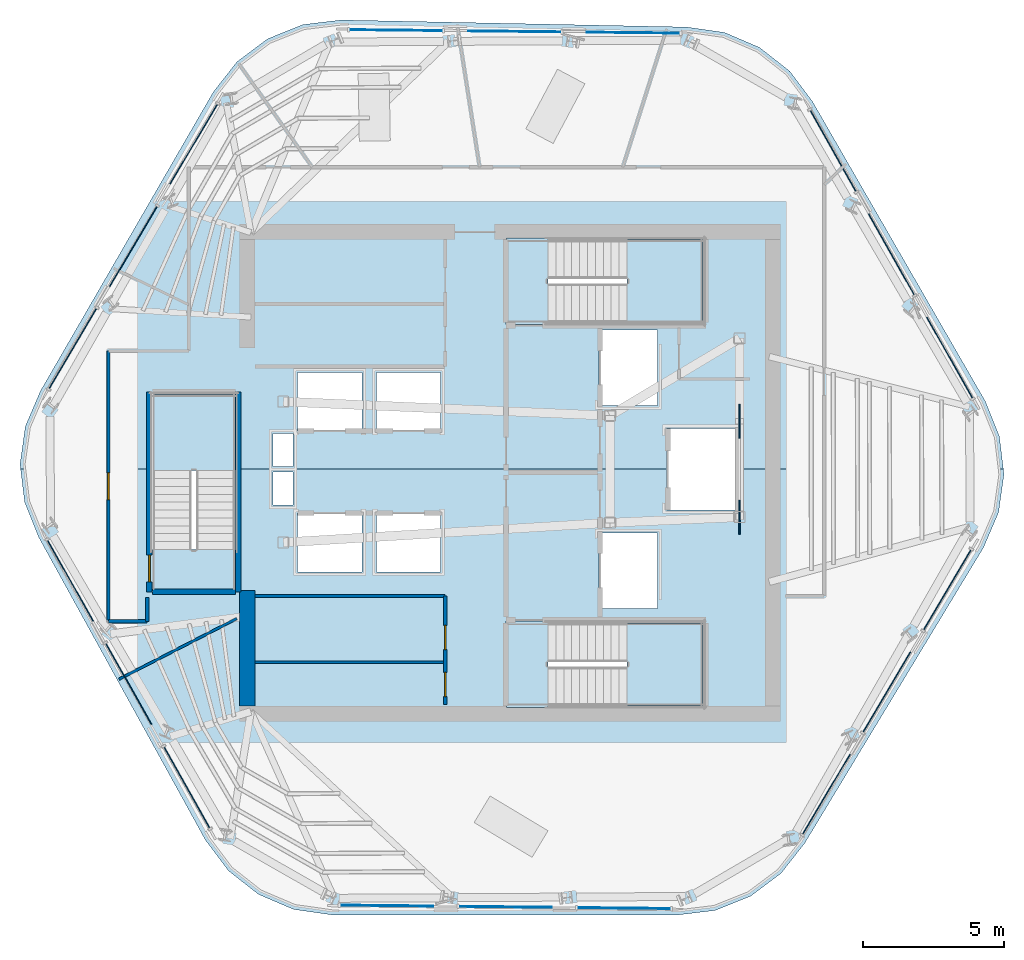
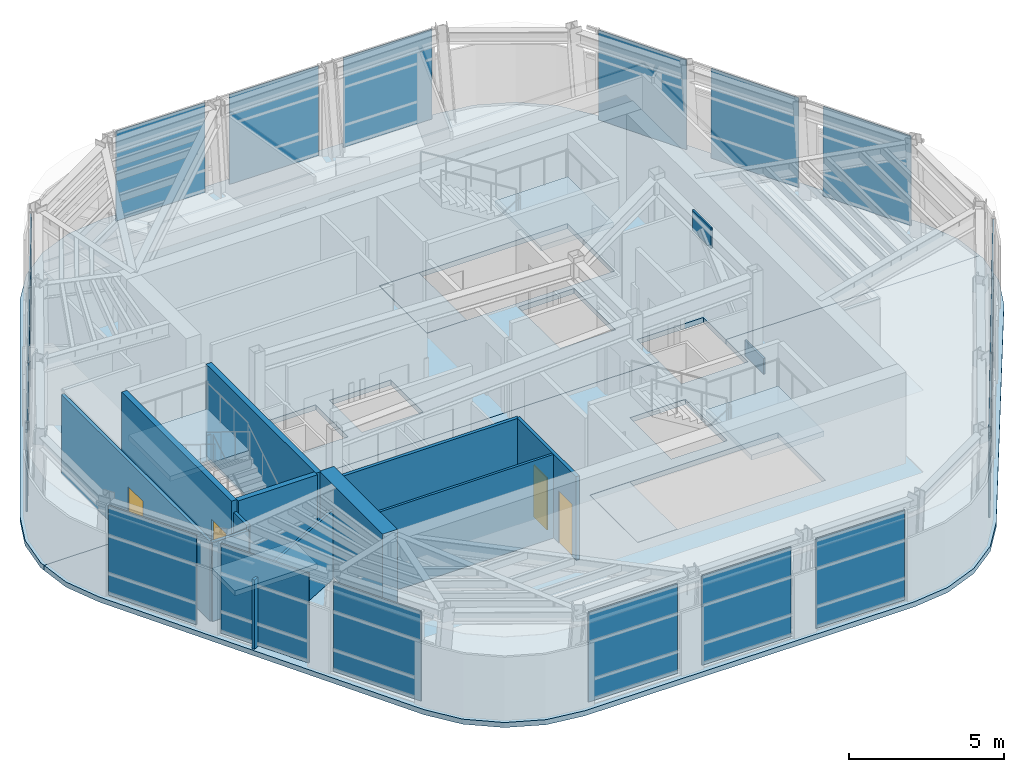
# One storey, part 6 of 13: 20 plates, 11 walls, 8 slabs, 4 doors, 4 openings, 9 elements without a shape of their own.
"""IFC4 building model written with IfcOpenShell, lengths in metres."""

from ifc_helpers import new_model, si_unit, direction, frame, frame_2d, origin, origin_2d, place, context, subcontext, project, spatial, polyline, rectangle, outline, extrude, material, layer, layer_set, type_object, element, fill, aggregate, save


model = new_model("IFC4")

# Units and contexts
model_context = context("Model", 3, precision=1e-05, world=origin(), true_north=direction((0.0, 1.0)))
body_context = subcontext(model_context, "Body", "Model", "MODEL_VIEW")
ifc_project = project(units=[si_unit("LENGTHUNIT", "METRE"), si_unit("AREAUNIT", "SQUARE_METRE"), si_unit("VOLUMEUNIT", "CUBIC_METRE"), si_unit("PLANEANGLEUNIT", "RADIAN"), si_unit("MASSUNIT", "GRAM", prefix="KILO")], contexts=[model_context])

# Site, building, storey
site_placement = place(None, origin())
site = spatial("IfcSite", under=ifc_project, at=site_placement, CompositionType="ELEMENT")
building_placement = place(site_placement, origin())
building = spatial("IfcBuilding", under=site, at=building_placement, Name="Valkerne Bourse Tower", CompositionType="ELEMENT")
storey_placement = place(building_placement, frame((0.0, 0.0, 281.199951171875)))
storey = spatial("IfcBuildingStorey", under=building, at=storey_placement, Name="L71", CompositionType="ELEMENT", Elevation=281.199951171875)

# Curtain wall, plates
ifc_material_1 = material(Name="Aluminium AA 6063-T6", Category="aluminium")
ifc_layer_1 = layer(ifc_material_1, 0.2451171875)
ifc_layer_set_1 = layer_set([ifc_layer_1], Name="Aluminium AA 6063-T6")
curtain_wall_type = type_object("IfcCurtainWallType", Name="CW-05", PredefinedType="NOTDEFINED", material=ifc_layer_set_1)
curtain_wall_1_placement = place(storey_placement, origin())
curtain_wall_1 = element("IfcCurtainWall", 1, at=curtain_wall_1_placement, inside=storey, type_object=curtain_wall_type, Name="L71 Hexagonal Stick Curtain Wall Face 1", PredefinedType="NOTDEFINED")
ifc_material_2 = material(Name="Glass IGU Low-E Double Glazed", Category="glass")
ifc_layer_2 = layer(ifc_material_2, 0.031982421875)
ifc_layer_set_2 = layer_set([ifc_layer_2], Name="Glass IGU Low-E Double Glazed")
plate_type_1 = type_object("IfcPlateType", Name="CW-PNL-IGU-32", PredefinedType="CURTAIN_PANEL", material=ifc_layer_set_2)
plate_1_placement = place(storey_placement, frame((51.174560546875, 42.493896484375, 0.030029296875), z_axis=(0.0, 0.0, 1.0), x_axis=(-0.999945187956, 0.010470008742, 0.0)))
plate_1 = element("IfcPlate", 2, at=plate_1_placement, type_object=plate_type_1, Name="CW-L71-F1 Curtain Panel 00", PredefinedType="CURTAIN_PANEL", context=body_context, shape_type="SweptSolid", body=[
    extrude(rectangle(XDim=3.2919921875, YDim=0.031982421875, at=origin_2d()), origin(), (0.0, 0.0, 1.0), 3.5400390625),
])
plate_2_placement = place(storey_placement, frame((46.962646484375, 42.537841796875, 0.030029296875), z_axis=(0.0, 0.0, 1.0), x_axis=(-0.999945185354, 0.010470257299, 0.0)))
plate_2 = element("IfcPlate", 3, at=plate_2_placement, type_object=plate_type_1, Name="CW-L71-F1 Curtain Panel 01", PredefinedType="CURTAIN_PANEL", context=body_context, shape_type="SweptSolid", body=[
    extrude(rectangle(XDim=3.2919921875, YDim=0.031982421875, at=origin_2d()), origin(), (0.0, 0.0, 1.0), 3.5400390625),
])
plate_3_placement = place(storey_placement, frame((42.7509765625, 42.58203125, 0.030029296875), z_axis=(0.0, 0.0, 1.0), x_axis=(-0.999945187956, 0.010470008742, 0.0)))
plate_3 = element("IfcPlate", 4, at=plate_3_placement, type_object=plate_type_1, Name="CW-L71-F1 Curtain Panel 02", PredefinedType="CURTAIN_PANEL", context=body_context, shape_type="SweptSolid", body=[
    extrude(rectangle(XDim=3.2919921875, YDim=0.031982421875, at=origin_2d()), origin(), (0.0, 0.0, 1.0), 3.5400390625),
])
aggregate(curtain_wall_1, [plate_1, plate_2, plate_3])

curtain_wall_2_placement = place(storey_placement, origin())
curtain_wall_2 = element("IfcCurtainWall", 5, at=curtain_wall_2_placement, inside=storey, type_object=curtain_wall_type, Name="L71 Hexagonal Stick Curtain Wall Face 2", PredefinedType="NOTDEFINED")
plate_4_placement = place(storey_placement, frame((35.569091796875, 38.535400390625, 0.030029296875), z_axis=(0.0, 0.0, 1.0), x_axis=(-0.509038826061, -0.860743558537, 0.0)))
plate_4 = element("IfcPlate", 6, at=plate_4_placement, type_object=plate_type_1, Name="CW-L71-F2 Curtain Panel 00", PredefinedType="CURTAIN_PANEL", context=body_context, shape_type="SweptSolid", body=[
    extrude(rectangle(XDim=3.2919921875, YDim=0.031982421875, at=origin_2d()), origin(), (0.0, 0.0, 1.0), 3.5400390625),
])
plate_5_placement = place(storey_placement, frame((33.42529296875, 34.909912109375, 0.030029296875), z_axis=(0.0, 0.0, 1.0), x_axis=(-0.509031638635, -0.860747809099, 0.0)))
plate_5 = element("IfcPlate", 7, at=plate_5_placement, type_object=plate_type_1, Name="CW-L71-F2 Curtain Panel 01", PredefinedType="CURTAIN_PANEL", context=body_context, shape_type="SweptSolid", body=[
    extrude(rectangle(XDim=3.2919921875, YDim=0.031982421875, at=origin_2d()), origin(), (0.0, 0.0, 1.0), 3.5400390625),
])
plate_6_placement = place(storey_placement, frame((31.281005859375, 31.284423828125, 0.030029296875), z_axis=(0.0, 0.0, 1.0), x_axis=(-0.509038826061, -0.860743558537, 0.0)))
plate_6 = element("IfcPlate", 8, at=plate_6_placement, type_object=plate_type_1, Name="CW-L71-F2 Curtain Panel 02", PredefinedType="CURTAIN_PANEL", context=body_context, shape_type="SweptSolid", body=[
    extrude(rectangle(XDim=3.2919921875, YDim=0.031982421875, at=origin_2d()), origin(), (0.0, 0.0, 1.0), 3.5400390625),
])
aggregate(curtain_wall_2, [plate_4, plate_5, plate_6])

curtain_wall_3_placement = place(storey_placement, origin())
curtain_wall_3 = element("IfcCurtainWall", 9, at=curtain_wall_3_placement, inside=storey, type_object=curtain_wall_type, Name="L71 Hexagonal Stick Curtain Wall Face 3", PredefinedType="NOTDEFINED")
plate_7_placement = place(storey_placement, frame((31.194580078125, 23.04150390625, 0.030029296875), z_axis=(0.0, 0.0, 1.0), x_axis=(0.490911504685, -0.871209443571, 0.0)))
plate_7 = element("IfcPlate", 10, at=plate_7_placement, type_object=plate_type_1, Name="CW-L71-F3 Curtain Panel 00", PredefinedType="CURTAIN_PANEL", context=body_context, shape_type="SweptSolid", body=[
    extrude(rectangle(XDim=3.2919921875, YDim=0.031982421875, at=origin_2d()), origin(), (0.0, 0.0, 1.0), 3.5400390625),
])
plate_8_placement = place(storey_placement, frame((33.262451171875, 19.3720703125, 0.030029296875), z_axis=(0.0, 0.0, 1.0), x_axis=(0.490901350772, -0.871215165049, 0.0)))
plate_8 = element("IfcPlate", 11, at=plate_8_placement, type_object=plate_type_1, Name="CW-L71-F3 Curtain Panel 01", PredefinedType="CURTAIN_PANEL", context=body_context, shape_type="SweptSolid", body=[
    extrude(rectangle(XDim=3.2919921875, YDim=0.031982421875, at=origin_2d()), origin(), (0.0, 0.0, 1.0), 3.5400390625),
])
plate_9_placement = place(storey_placement, frame((35.330078125, 15.702392578125, 0.030029296875), z_axis=(0.0, 0.0, 1.0), x_axis=(0.490901350772, -0.871215165049, 0.0)))
plate_9 = element("IfcPlate", 12, at=plate_9_placement, type_object=plate_type_1, Name="CW-L71-F3 Curtain Panel 02", PredefinedType="CURTAIN_PANEL", context=body_context, shape_type="SweptSolid", body=[
    extrude(rectangle(XDim=3.2919921875, YDim=0.031982421875, at=origin_2d()), origin(), (0.0, 0.0, 1.0), 3.5400390625),
])
aggregate(curtain_wall_3, [plate_7, plate_8, plate_9])

curtain_wall_4_placement = place(storey_placement, origin())
curtain_wall_4 = element("IfcCurtainWall", 13, at=curtain_wall_4_placement, inside=storey, type_object=curtain_wall_type, Name="L71 Hexagonal Stick Curtain Wall Face 4", PredefinedType="NOTDEFINED")
plate_10_placement = place(storey_placement, frame((42.425537109375, 11.506103515625, 0.030029296875), z_axis=(0.0, 0.0, 1.0), x_axis=(0.999945187956, -0.010470008742, 0.0)))
plate_10 = element("IfcPlate", 14, at=plate_10_placement, type_object=plate_type_1, Name="CW-L71-F4 Curtain Panel 00", PredefinedType="CURTAIN_PANEL", context=body_context, shape_type="SweptSolid", body=[
    extrude(rectangle(XDim=3.2919921875, YDim=0.031982421875, at=origin_2d()), origin(), (0.0, 0.0, 1.0), 3.5400390625),
])
plate_11_placement = place(storey_placement, frame((46.63720703125, 11.4619140625, 0.030029296875), z_axis=(0.0, 0.0, 1.0), x_axis=(0.999945185354, -0.010470257299, 0.0)))
plate_11 = element("IfcPlate", 15, at=plate_11_placement, type_object=plate_type_1, Name="CW-L71-F4 Curtain Panel 01", PredefinedType="CURTAIN_PANEL", context=body_context, shape_type="SweptSolid", body=[
    extrude(rectangle(XDim=3.2919921875, YDim=0.031982421875, at=origin_2d()), origin(), (0.0, 0.0, 1.0), 3.5400390625),
])
plate_12_placement = place(storey_placement, frame((50.84912109375, 11.41796875, 0.030029296875), z_axis=(0.0, 0.0, 1.0), x_axis=(0.999945187956, -0.010470008742, 0.0)))
plate_12 = element("IfcPlate", 16, at=plate_12_placement, type_object=plate_type_1, Name="CW-L71-F4 Curtain Panel 02", PredefinedType="CURTAIN_PANEL", context=body_context, shape_type="SweptSolid", body=[
    extrude(rectangle(XDim=3.2919921875, YDim=0.031982421875, at=origin_2d()), origin(), (0.0, 0.0, 1.0), 3.5400390625),
])
aggregate(curtain_wall_4, [plate_10, plate_11, plate_12])

curtain_wall_5_placement = place(storey_placement, origin())
curtain_wall_5 = element("IfcCurtainWall", 17, at=curtain_wall_5_placement, inside=storey, type_object=curtain_wall_type, Name="L71 Hexagonal Stick Curtain Wall Face 5", PredefinedType="NOTDEFINED")
plate_13_placement = place(storey_placement, frame((58.03076171875, 15.464599609375, 0.030029296875), z_axis=(0.0, 0.0, 1.0), x_axis=(0.509038826061, 0.860743558537, 0.0)))
plate_13 = element("IfcPlate", 18, at=plate_13_placement, type_object=plate_type_1, Name="CW-L71-F5 Curtain Panel 00", PredefinedType="CURTAIN_PANEL", context=body_context, shape_type="SweptSolid", body=[
    extrude(rectangle(XDim=3.2919921875, YDim=0.031982421875, at=origin_2d()), origin(), (0.0, 0.0, 1.0), 3.5400390625),
])
plate_14_placement = place(storey_placement, frame((60.1748046875, 19.090087890625, 0.030029296875), z_axis=(0.0, 0.0, 1.0), x_axis=(0.509031638635, 0.860747809099, 0.0)))
plate_14 = element("IfcPlate", 19, at=plate_14_placement, type_object=plate_type_1, Name="CW-L71-F5 Curtain Panel 01", PredefinedType="CURTAIN_PANEL", context=body_context, shape_type="SweptSolid", body=[
    extrude(rectangle(XDim=3.2919921875, YDim=0.031982421875, at=origin_2d()), origin(), (0.0, 0.0, 1.0), 3.5400390625),
])
plate_15_placement = place(storey_placement, frame((62.31884765625, 22.715576171875, 0.030029296875), z_axis=(0.0, 0.0, 1.0), x_axis=(0.509038826061, 0.860743558537, 0.0)))
plate_15 = element("IfcPlate", 20, at=plate_15_placement, type_object=plate_type_1, Name="CW-L71-F5 Curtain Panel 02", PredefinedType="CURTAIN_PANEL", context=body_context, shape_type="SweptSolid", body=[
    extrude(rectangle(XDim=3.2919921875, YDim=0.031982421875, at=origin_2d()), origin(), (0.0, 0.0, 1.0), 3.5400390625),
])
aggregate(curtain_wall_5, [plate_13, plate_14, plate_15])

curtain_wall_6_placement = place(storey_placement, origin())
curtain_wall_6 = element("IfcCurtainWall", 21, at=curtain_wall_6_placement, inside=storey, type_object=curtain_wall_type, Name="L71 Hexagonal Stick Curtain Wall Face 6", PredefinedType="NOTDEFINED")
plate_16_placement = place(storey_placement, frame((62.4052734375, 30.95849609375, 0.030029296875), z_axis=(0.0, 0.0, 1.0), x_axis=(-0.490911504685, 0.871209443571, 0.0)))
plate_16 = element("IfcPlate", 22, at=plate_16_placement, type_object=plate_type_1, Name="CW-L71-F6 Curtain Panel 00", PredefinedType="CURTAIN_PANEL", context=body_context, shape_type="SweptSolid", body=[
    extrude(rectangle(XDim=3.2919921875, YDim=0.031982421875, at=origin_2d()), origin(), (0.0, 0.0, 1.0), 3.5400390625),
])
plate_17_placement = place(storey_placement, frame((60.337646484375, 34.6279296875, 0.030029296875), z_axis=(0.0, 0.0, 1.0), x_axis=(-0.490901350772, 0.871215165049, 0.0)))
plate_17 = element("IfcPlate", 23, at=plate_17_placement, type_object=plate_type_1, Name="CW-L71-F6 Curtain Panel 01", PredefinedType="CURTAIN_PANEL", context=body_context, shape_type="SweptSolid", body=[
    extrude(rectangle(XDim=3.2919921875, YDim=0.031982421875, at=origin_2d()), origin(), (0.0, 0.0, 1.0), 3.5400390625),
])
plate_18_placement = place(storey_placement, frame((58.269775390625, 38.297607421875, 0.030029296875), z_axis=(0.0, 0.0, 1.0), x_axis=(-0.490901350772, 0.871215165049, 0.0)))
plate_18 = element("IfcPlate", 24, at=plate_18_placement, type_object=plate_type_1, Name="CW-L71-F6 Curtain Panel 02", PredefinedType="CURTAIN_PANEL", context=body_context, shape_type="SweptSolid", body=[
    extrude(rectangle(XDim=3.2919921875, YDim=0.031982421875, at=origin_2d()), origin(), (0.0, 0.0, 1.0), 3.5400390625),
])
aggregate(curtain_wall_6, [plate_16, plate_17, plate_18])

# Plates
ifc_material_3 = material(Name="Steel ASTM A572 Grade 50", Category="steel")
ifc_layer_3 = layer(ifc_material_3, 0.06005859375)
ifc_layer_set_3 = layer_set([ifc_layer_3], Name="Steel ASTM A572 Grade 50")
plate_type_2 = type_object("IfcPlateType", Name="PLT-GUS-60", PredefinedType="SHEET", material=ifc_layer_set_3)
for number, where, z_axis, x_axis, name in (
    (25, (54.949951171875, 25.300048828125, -0.18017578125), (0.0, 0.0, 1.0), (0.0, 1.0, 0.0), "L71 Brace Node Gusset Plate PLT-GUS-END-L71-458"),
    (26, (54.949951171875, 28.699951171875, 2.89404296875), (0.0, 0.0, 1.0), (0.0, 1.0, 0.0), "L71 Brace Node Gusset Plate PLT-GUS-END-L71-459"),
):
    element("IfcPlate", number, at=place(storey_placement, frame(where, z_axis=z_axis, x_axis=x_axis)), inside=storey, type_object=plate_type_2, Name=name, PredefinedType="SHEET", context=body_context, shape_type="SweptSolid", body=[
        extrude(rectangle(XDim=1.199951171875, YDim=0.06005859375, at=origin_2d()), origin(), (0.0, 0.0, 1.0), 0.800048828125),
    ])

# Slabs
ifc_material_4 = material(Name="Concrete C40/50", Category="concrete")
ifc_layer_4 = layer(ifc_material_4, 0.25)
ifc_layer_set_4 = layer_set([ifc_layer_4], Name="Concrete C40/50")
slab_type_1 = type_object("IfcSlabType", Name="SLB-RMP-LND-250", PredefinedType="LANDING", material=ifc_layer_set_4)
slab_1_placement = place(storey_placement, frame((0.0, 0.0, -0.199951171875)))
element("IfcSlab", 27, at=slab_1_placement, inside=storey, type_object=slab_type_1, Name="L71 ST-1 Floor Landing Slab", PredefinedType="LANDING", context=body_context, shape_type="SweptSolid", body=[
    extrude(outline(polyline([(46.669921875, 18.5400390625), (48.14990234375, 18.5400390625), (48.14990234375, 21.610107421875), (46.669921875, 21.610107421875), (46.669921875, 18.5400390625)])), origin(), (0.0, 0.0, 1.0), 0.199951171875),
])
slab_2_placement = place(storey_placement, frame((0.0, 0.0, -0.199951171875)))
element("IfcSlab", 28, at=slab_2_placement, inside=storey, type_object=slab_type_1, Name="L71 ST-2 Floor Landing Slab", PredefinedType="LANDING", context=body_context, shape_type="SweptSolid", body=[
    extrude(outline(polyline([(46.669921875, 32.139892578125), (48.14990234375, 32.139892578125), (48.14990234375, 35.2099609375), (46.669921875, 35.2099609375), (46.669921875, 32.139892578125)])), origin(), (0.0, 0.0, 1.0), 0.199951171875),
])
slab_3_placement = place(storey_placement, frame((0.0, 0.0, -0.199951171875)))
element("IfcSlab", 29, at=slab_3_placement, inside=storey, type_object=slab_type_1, Name="L71 ST-3 Floor Landing Slab", PredefinedType="LANDING", context=body_context, shape_type="SweptSolid", body=[
    extrude(outline(polyline([(37.110107421875, 22.669921875), (37.110107421875, 24.14990234375), (34.0400390625, 24.14990234375), (34.0400390625, 22.669921875), (37.110107421875, 22.669921875)])), origin(), (0.0, 0.0, 1.0), 0.199951171875),
])

# Stair, slab
stair_type = type_object("IfcStairType", Name="ST-CORE-1400", PredefinedType="HALF_TURN_STAIR", material=ifc_material_4)
stair_1_placement = place(storey_placement, origin())
stair_1 = element("IfcStair", 30, at=stair_1_placement, inside=storey, type_object=stair_type, Name="L71 ST-1", PredefinedType="HALF_TURN_STAIR")
ifc_layer_5 = layer(ifc_material_4, 0.179931640625)
ifc_layer_set_5 = layer_set([ifc_layer_5], Name="Concrete C40/50")
slab_type_2 = type_object("IfcSlabType", Name="SLB-ST-LND-180", PredefinedType="LANDING", material=ifc_layer_set_5)
slab_4_placement = place(storey_placement, frame((0.0, 0.0, 1.699951171875)))
slab_4 = element("IfcSlab", 31, at=slab_4_placement, type_object=slab_type_2, Name="ST-1 landing 1", PredefinedType="LANDING", context=body_context, shape_type="SweptSolid", body=[
    extrude(outline(polyline([(50.949951171875, 18.60009765625), (53.64990234375, 18.60009765625), (53.64990234375, 21.550048828125), (50.949951171875, 21.550048828125), (50.949951171875, 18.60009765625)])), origin(), (0.0, 0.0, 1.0), 0.2001953125),
])
aggregate(stair_1, [slab_4])

stair_2_placement = place(storey_placement, origin())
stair_2 = element("IfcStair", 32, at=stair_2_placement, inside=storey, type_object=stair_type, Name="L71 ST-2", PredefinedType="HALF_TURN_STAIR")
slab_5_placement = place(storey_placement, frame((0.0, 0.0, 1.699951171875)))
slab_5 = element("IfcSlab", 33, at=slab_5_placement, type_object=slab_type_2, Name="ST-2 landing 1", PredefinedType="LANDING", context=body_context, shape_type="SweptSolid", body=[
    extrude(outline(polyline([(50.949951171875, 32.199951171875), (53.64990234375, 32.199951171875), (53.64990234375, 35.14990234375), (50.949951171875, 35.14990234375), (50.949951171875, 32.199951171875)])), origin(), (0.0, 0.0, 1.0), 0.2001953125),
])
aggregate(stair_2, [slab_5])

stair_3_placement = place(storey_placement, origin())
stair_3 = element("IfcStair", 34, at=stair_3_placement, inside=storey, type_object=stair_type, Name="L71 ST-3", PredefinedType="HALF_TURN_STAIR")
slab_6_placement = place(storey_placement, frame((0.0, 0.0, 1.699951171875)))
slab_6 = element("IfcSlab", 35, at=slab_6_placement, type_object=slab_type_2, Name="ST-3 landing 1", PredefinedType="LANDING", context=body_context, shape_type="SweptSolid", body=[
    extrude(outline(polyline([(37.050048828125, 26.949951171875), (37.050048828125, 29.64990234375), (34.10009765625, 29.64990234375), (34.10009765625, 26.949951171875), (37.050048828125, 26.949951171875)])), origin(), (0.0, 0.0, 1.0), 0.2001953125),
])
aggregate(stair_3, [slab_6])

# Slabs
ifc_layer_6 = layer(ifc_material_4, 0.199951171875)
ifc_layer_set_6 = layer_set([ifc_layer_6], Name="Concrete C40/50")
slab_type_3 = type_object("IfcSlabType", Name="SLB-TOW-200", PredefinedType="FLOOR", material=ifc_layer_set_6)
slab_7_placement = place(storey_placement, frame((0.0, 0.0, -0.199951171875)))
element("IfcSlab", 36, at=slab_7_placement, inside=storey, type_object=slab_type_3, Name="L71 Hexagonal Composite Floor Slab S", PredefinedType="FLOOR", context=body_context, shape_type="SweptSolid", body=[
    extrude(outline(polyline([(64.334716796875, 26.81640625), (64.143310546875, 25.472412109375), (63.610595703125, 24.223876953125), (57.2626953125, 13.72802734375), (56.425048828125, 12.659912109375), (55.339599609375, 11.8447265625), (54.080078125, 11.33837890625), (52.732421875, 11.17529296875), (40.46630859375, 11.1826171875), (39.122314453125, 11.373779296875), (37.873779296875, 11.906494140625), (36.805419921875, 12.743896484375), (35.990478515625, 13.82958984375), (30.07470703125, 24.574951171875), (29.568603515625, 25.83447265625), (29.427490234375, 27.0), (34.034912109375, 27.0), (34.034912109375, 22.6650390625), (37.114990234375, 22.6650390625), (37.114990234375, 27.0), (52.360107421875, 27.0), (52.360107421875, 25.56005859375), (54.840087890625, 25.56005859375), (54.840087890625, 27.0), (64.3125, 27.0), (64.334716796875, 26.81640625)]), holes=[polyline([(39.260009765625, 25.43994140625), (39.260009765625, 23.360107421875), (41.5400390625, 23.360107421875), (41.5400390625, 25.43994140625), (39.260009765625, 25.43994140625)]), polyline([(44.340087890625, 25.43994140625), (42.06005859375, 25.43994140625), (42.06005859375, 23.360107421875), (44.340087890625, 23.360107421875), (44.340087890625, 25.43994140625)]), polyline([(38.3798828125, 26.89990234375), (38.3798828125, 25.72998046875), (39.10009765625, 25.72998046875), (39.10009765625, 26.89990234375), (38.3798828125, 26.89990234375)]), polyline([(46.6650390625, 21.614990234375), (46.6650390625, 18.534912109375), (53.675048828125, 18.534912109375), (53.675048828125, 21.614990234375), (46.6650390625, 21.614990234375)]), polyline([(52.0400390625, 24.739990234375), (49.9599609375, 24.739990234375), (49.9599609375, 22.06005859375), (52.0400390625, 22.06005859375), (52.0400390625, 24.739990234375)])]), origin(), (0.0, 0.0, 1.0), 0.199951171875),
])
slab_8_placement = place(storey_placement, frame((0.0, 0.0, -0.199951171875)))
element("IfcSlab", 37, at=slab_8_placement, inside=storey, type_object=slab_type_3, Name="L71 Hexagonal Composite Floor Slab N", PredefinedType="FLOOR", context=body_context, shape_type="SweptSolid", body=[
    extrude(outline(polyline([(64.17138671875, 28.1640625), (64.3125, 27.0), (54.840087890625, 27.0), (54.840087890625, 28.43994140625), (52.360107421875, 28.43994140625), (52.360107421875, 27.0), (37.114990234375, 27.0), (37.114990234375, 29.675048828125), (34.034912109375, 29.675048828125), (34.034912109375, 27.0), (29.427490234375, 27.0), (29.405517578125, 27.18212890625), (29.5966796875, 28.526123046875), (30.12939453125, 29.774658203125), (36.2685546875, 40.393798828125), (37.106201171875, 41.462158203125), (38.191650390625, 42.277099609375), (39.451171875, 42.783447265625), (40.798828125, 42.946533203125), (53.0625, 42.697021484375), (54.406494140625, 42.505615234375), (55.655029296875, 41.97314453125), (56.723388671875, 41.135498046875), (57.538330078125, 40.0498046875), (63.665283203125, 29.423583984375), (64.17138671875, 28.1640625)]), holes=[polyline([(39.10009765625, 28.27001953125), (38.3798828125, 28.27001953125), (38.3798828125, 27.10009765625), (39.10009765625, 27.10009765625), (39.10009765625, 28.27001953125)]), polyline([(41.5400390625, 30.43994140625), (39.260009765625, 30.43994140625), (39.260009765625, 28.360107421875), (41.5400390625, 28.360107421875), (41.5400390625, 30.43994140625)]), polyline([(42.06005859375, 30.43994140625), (42.06005859375, 28.360107421875), (44.340087890625, 28.360107421875), (44.340087890625, 30.43994140625), (42.06005859375, 30.43994140625)]), polyline([(52.0400390625, 31.93994140625), (49.9599609375, 31.93994140625), (49.9599609375, 29.260009765625), (52.0400390625, 29.260009765625), (52.0400390625, 31.93994140625)]), polyline([(53.675048828125, 35.215087890625), (46.6650390625, 35.215087890625), (46.6650390625, 32.135009765625), (53.675048828125, 32.135009765625), (53.675048828125, 35.215087890625)])]), origin(), (0.0, 0.0, 1.0), 0.199951171875),
])

# Wall
ifc_material_5 = material(Name="Concrete C55/67", Category="concrete")
ifc_layer_7 = layer(ifc_material_5, 0.550048828125)
ifc_layer_set_7 = layer_set([ifc_layer_7], Name="Concrete C55/67")
wall_type_1 = type_object("IfcWallType", Name="W-CORE-550", PredefinedType="SHEAR", material=ifc_layer_set_7)
wall_1_placement = place(storey_placement, frame((37.47509765625, 18.60009765625, 0.0), z_axis=(0.0, 0.0, 1.0), x_axis=(0.0, 1.0, 0.0)))
element("IfcWall", 38, at=wall_1_placement, inside=storey, type_object=wall_type_1, Name="L71 Core Shear Wall WEST-S", PredefinedType="SHEAR", context=body_context, shape_type="SweptSolid", body=[
    extrude(rectangle(XDim=4.099853515625, YDim=0.550048828125, at=frame_2d((2.0498046875, 0.0))), origin(), (0.0, 0.0, 1.0), 3.60009765625),
])

# Wall, openings, doors
ifc_material_6 = material(Name="Gypsum Board Steel-Stud Partition", Category="steel")
ifc_layer_8 = layer(ifc_material_6, 0.117919921875)
ifc_layer_set_8 = layer_set([ifc_layer_8], Name="Gypsum Board Steel-Stud Partition")
wall_type_2 = type_object("IfcWallType", Name="W-CORR-140", PredefinedType="PARTITIONING", material=ifc_layer_set_8)
wall_2_placement = place(storey_placement, frame((44.5, 18.64990234375, 0.0), z_axis=(0.0, 0.0, 1.0), x_axis=(0.0, 1.0, 0.0)))
wall_2 = element("IfcWall", 39, at=wall_2_placement, inside=storey, type_object=wall_type_2, Name="L71 LV7 Low-Bank East Wall", PredefinedType="PARTITIONING", context=body_context, shape_type="SweptSolid", body=[
    extrude(rectangle(XDim=3.85009765625, YDim=0.117919921875, at=frame_2d((1.925048828125, 0.0))), origin(), (0.0, 0.0, 1.0), 3.300048828125),
])
opening_1_placement = place(wall_2_placement, frame((0.280029296875, 0.0, 0.0)))
opening_1 = element("IfcOpeningElement", 40, at=opening_1_placement, cuts=wall_2, Name="Opening D-WC-900", PredefinedType="OPENING", context=body_context, shape_type="SweptSolid", body=[
    extrude(rectangle(XDim=0.860107421875, YDim=2.050048828125, at=frame_2d((0.43017578125, 1.02490234375))), frame((0.0, 0.06884765625, 0.0), z_axis=(0.0, -1.0, 0.0), x_axis=(1.0, 0.0, 0.0)), (0.0, 0.0, 1.0), 0.137939453125),
])
opening_2_placement = place(wall_2_placement, frame((1.949951171875, 0.0, 0.0)))
opening_2 = element("IfcOpeningElement", 41, at=opening_2_placement, cuts=wall_2, Name="Opening D-WC-900", PredefinedType="OPENING", context=body_context, shape_type="SweptSolid", body=[
    extrude(rectangle(XDim=0.860107421875, YDim=2.050048828125, at=frame_2d((0.43017578125, 1.02490234375))), frame((0.0, 0.06884765625, 0.0), z_axis=(0.0, -1.0, 0.0), x_axis=(1.0, 0.0, 0.0)), (0.0, 0.0, 1.0), 0.137939453125),
])
ifc_material_7 = material(Name="Architectural White Oak Timber", Category="wood")
door_type_1 = type_object("IfcDoorType", Name="DR-WC-900", OperationType="NOTDEFINED", PredefinedType="DOOR", material=ifc_material_7)
door_1_placement = place(opening_1_placement, origin())
door_1 = element("IfcDoor", 42, at=door_1_placement, inside=storey, type_object=door_type_1, Name="L71 Tea Pantry Door", OperationType="SINGLE_SWING_LEFT", OverallHeight=2.050048828125, OverallWidth=0.860107421875, PredefinedType="DOOR", context=body_context, shape_type="SweptSolid", body=[
    extrude(rectangle(XDim=0.860107421875, YDim=2.050048828125, at=frame_2d((0.43017578125, 1.02490234375))), frame((0.0, 0.02490234375, 0.0), z_axis=(0.0, -1.0, 0.0), x_axis=(1.0, 0.0, 0.0)), (0.0, 0.0, 1.0), 0.050048828125),
])
fill(opening_1, door_1)
door_2_placement = place(opening_2_placement, origin())
door_2 = element("IfcDoor", 43, at=door_2_placement, inside=storey, type_object=door_type_1, Name="L71 Portfolio Risk Office Door", OperationType="SINGLE_SWING_LEFT", OverallHeight=2.050048828125, OverallWidth=0.860107421875, PredefinedType="DOOR", context=body_context, shape_type="SweptSolid", body=[
    extrude(rectangle(XDim=0.860107421875, YDim=2.050048828125, at=frame_2d((0.43017578125, 1.02490234375))), frame((0.0, 0.02490234375, 0.0), z_axis=(0.0, -1.0, 0.0), x_axis=(1.0, 0.0, 0.0)), (0.0, 0.0, 1.0), 0.050048828125),
])
fill(opening_2, door_2)

# Walls
wall_3_placement = place(storey_placement, frame((37.75, 22.5, 0.0), z_axis=(0.0, 0.0, 1.0), x_axis=(1.0, 0.0, 0.0)))
element("IfcWall", 44, at=wall_3_placement, inside=storey, type_object=wall_type_2, Name="L71 LV7 Low-Bank North Wall", PredefinedType="PARTITIONING", context=body_context, shape_type="SweptSolid", body=[
    extrude(rectangle(XDim=6.75, YDim=0.117919921875, at=frame_2d((3.375, 0.0))), origin(), (0.0, 0.0, 1.0), 3.300048828125),
])
wall_4_placement = place(storey_placement, frame((33.91796875, 22.43994140625, 0.0), z_axis=(0.0, 0.0, 1.0), x_axis=(0.002325575107, -0.999997295847, 0.0)))
element("IfcWall", 45, at=wall_4_placement, inside=storey, type_object=wall_type_2, Name="L71 Corridor Enclosure Wall", PredefinedType="PARTITIONING", context=body_context, shape_type="SweptSolid", body=[
    extrude(rectangle(XDim=0.83984375, YDim=0.117919921875, at=frame_2d((0.419921875, 0.0))), origin(), (0.0, 0.0, 1.0), 3.300048828125),
])
wall_5_placement = place(storey_placement, frame((33.919921875, 21.60009765625, 0.0), z_axis=(0.0, 0.0, 1.0), x_axis=(-1.0, 0.0, 0.0)))
element("IfcWall", 46, at=wall_5_placement, inside=storey, type_object=wall_type_2, Name="L71 Corridor Enclosure Wall", PredefinedType="PARTITIONING", context=body_context, shape_type="SweptSolid", body=[
    extrude(rectangle(XDim=1.369873046875, YDim=0.117919921875, at=frame_2d((0.68505859375, 0.0))), origin(), (0.0, 0.0, 1.0), 3.114990234375),
])

# Wall, opening, door
wall_6_placement = place(storey_placement, frame((32.550048828125, 21.60009765625, 0.0), z_axis=(0.0, 0.0, 1.0), x_axis=(0.0, 1.0, 0.0)))
wall_6 = element("IfcWall", 47, at=wall_6_placement, inside=storey, type_object=wall_type_2, Name="L71 Corridor Enclosure Wall", PredefinedType="PARTITIONING", context=body_context, shape_type="SweptSolid", body=[
    extrude(rectangle(XDim=9.599853515625, YDim=0.117919921875, at=frame_2d((4.7998046875, 0.0))), origin(), (0.0, 0.0, 1.0), 3.114990234375),
])
opening_3_placement = place(wall_6_placement, frame((4.324951171875, 0.0, 0.0)))
opening_3 = element("IfcOpeningElement", 48, at=opening_3_placement, cuts=wall_6, Name="Opening D-OF-950", PredefinedType="OPENING", context=body_context, shape_type="SweptSolid", body=[
    extrude(rectangle(XDim=0.949951171875, YDim=2.10009765625, at=frame_2d((0.47509765625, 1.050048828125))), frame((0.0, 0.06884765625, 0.0), z_axis=(0.0, -1.0, 0.0), x_axis=(1.0, 0.0, 0.0)), (0.0, 0.0, 1.0), 0.137939453125),
])
door_type_2 = type_object("IfcDoorType", Name="DR-OFF-950", OperationType="NOTDEFINED", PredefinedType="DOOR", material=ifc_material_7)
door_3_placement = place(opening_3_placement, origin())
door_3 = element("IfcDoor", 49, at=door_3_placement, inside=storey, type_object=door_type_2, Name="L71 L71 Occupational Wellness Clinic 5 Door", OperationType="SINGLE_SWING_RIGHT", OverallHeight=2.10009765625, OverallWidth=0.949951171875, PredefinedType="DOOR", context=body_context, shape_type="SweptSolid", body=[
    extrude(rectangle(XDim=0.949951171875, YDim=2.10009765625, at=frame_2d((0.47509765625, 1.050048828125))), frame((0.0, 0.02490234375, 0.0), z_axis=(0.0, -1.0, 0.0), x_axis=(1.0, 0.0, 0.0)), (0.0, 0.0, 1.0), 0.050048828125),
])
fill(opening_3, door_3)

# Walls
ifc_layer_9 = layer(ifc_material_6, 0.092041015625)
ifc_layer_set_9 = layer_set([ifc_layer_9], Name="Gypsum Board Steel-Stud Partition")
wall_type_3 = type_object("IfcWallType", Name="W-PART-115", PredefinedType="PARTITIONING", material=ifc_layer_set_9)
wall_7_placement = place(storey_placement, frame((37.75, 20.14990234375, 0.0), z_axis=(0.0, 0.0, 1.0), x_axis=(1.0, 0.0, 0.0)))
element("IfcWall", 50, at=wall_7_placement, inside=storey, type_object=wall_type_3, Name="L71 LV7 Low-Bank Sub-Divider", PredefinedType="PARTITIONING", context=body_context, shape_type="SweptSolid", body=[
    extrude(rectangle(XDim=6.75, YDim=0.092041015625, at=frame_2d((3.375, 0.0))), origin(), (0.0, 0.0, 1.0), 3.300048828125),
])
wall_8_placement = place(storey_placement, frame((37.10009765625, 21.698486328125, 0.0), z_axis=(0.0, 0.0, 1.0), x_axis=(-0.889139230337, -0.457636787285, 0.0)))
element("IfcWall", 51, at=wall_8_placement, inside=storey, type_object=wall_type_3, Name="L71 Suite Partition P05", PredefinedType="PARTITIONING", context=body_context, shape_type="SweptSolid", body=[
    extrude(rectangle(XDim=4.698974609375, YDim=0.092041015625, at=frame_2d((2.349609375, 0.0))), origin(), (0.0, 0.0, 1.0), 2.7314453125),
])

# Wall, opening, door
ifc_layer_10 = layer(ifc_material_4, 0.199951171875)
ifc_layer_set_10 = layer_set([ifc_layer_10], Name="Concrete C40/50")
wall_type_4 = type_object("IfcWallType", Name="W-SHF-200", PredefinedType="SHEAR", material=ifc_layer_set_10)
wall_9_placement = place(storey_placement, frame((34.0, 22.64990234375, 0.0), z_axis=(0.0, 0.0, 1.0), x_axis=(0.0, 1.0, 0.0)))
wall_9 = element("IfcWall", 52, at=wall_9_placement, inside=storey, type_object=wall_type_4, Name="L71 Exit Stair ST-3 Structural Shaft Wall West", PredefinedType="SHEAR", context=body_context, shape_type="SweptSolid", body=[
    extrude(rectangle(XDim=7.10009765625, YDim=0.199951171875, at=frame_2d((3.550048828125, 0.0))), origin(), (0.0, 0.0, 1.0), 3.60009765625),
])
opening_4_placement = place(wall_9_placement, frame((0.35009765625, 0.0, 0.0)))
opening_4 = element("IfcOpeningElement", 53, at=opening_4_placement, cuts=wall_9, Name="Opening D-ST-950", PredefinedType="OPENING", context=body_context, shape_type="SweptSolid", body=[
    extrude(rectangle(XDim=0.949951171875, YDim=2.10009765625, at=frame_2d((0.47509765625, 1.050048828125))), frame((0.0, 0.10986328125, 0.0), z_axis=(0.0, -1.0, 0.0), x_axis=(1.0, 0.0, 0.0)), (0.0, 0.0, 1.0), 0.219970703125),
])
ifc_material_8 = material(Name="Galvanised Painted Steel", Category="steel")
door_type_3 = type_object("IfcDoorType", Name="DR-STAIR-950", OperationType="NOTDEFINED", PredefinedType="DOOR", material=ifc_material_8)
door_4_placement = place(opening_4_placement, origin())
door_4 = element("IfcDoor", 54, at=door_4_placement, inside=storey, type_object=door_type_3, Name="L71 Exit Stair ST-3 Door", OperationType="SINGLE_SWING_RIGHT", OverallHeight=2.10009765625, OverallWidth=0.949951171875, PredefinedType="DOOR", context=body_context, shape_type="SweptSolid", body=[
    extrude(rectangle(XDim=0.949951171875, YDim=2.10009765625, at=frame_2d((0.47509765625, 1.050048828125))), frame((0.0, 0.02490234375, 0.0), z_axis=(0.0, -1.0, 0.0), x_axis=(1.0, 0.0, 0.0)), (0.0, 0.0, 1.0), 0.050048828125),
])
fill(opening_4, door_4)

# Walls
wall_10_placement = place(storey_placement, frame((34.10009765625, 22.64990234375, 0.0), z_axis=(0.0, 0.0, 1.0), x_axis=(1.0, 0.0, 0.0)))
element("IfcWall", 55, at=wall_10_placement, inside=storey, type_object=wall_type_4, Name="L71 Exit Stair ST-3 Structural Shaft Wall South", PredefinedType="SHEAR", context=body_context, shape_type="SweptSolid", body=[
    extrude(rectangle(XDim=2.949951171875, YDim=0.199951171875, at=frame_2d((1.47509765625, 0.0))), origin(), (0.0, 0.0, 1.0), 3.60009765625),
])
wall_11_placement = place(storey_placement, frame((37.14990234375, 22.64990234375, 0.0), z_axis=(0.0, 0.0, 1.0), x_axis=(0.0, 1.0, 0.0)))
element("IfcWall", 56, at=wall_11_placement, inside=storey, type_object=wall_type_4, Name="L71 Exit Stair ST-3 Structural Shaft Wall East", PredefinedType="SHEAR", context=body_context, shape_type="SweptSolid", body=[
    extrude(rectangle(XDim=7.10009765625, YDim=0.199951171875, at=frame_2d((3.550048828125, 0.0))), origin(), (0.0, 0.0, 1.0), 3.60009765625),
])

save(model, "model.ifc")
